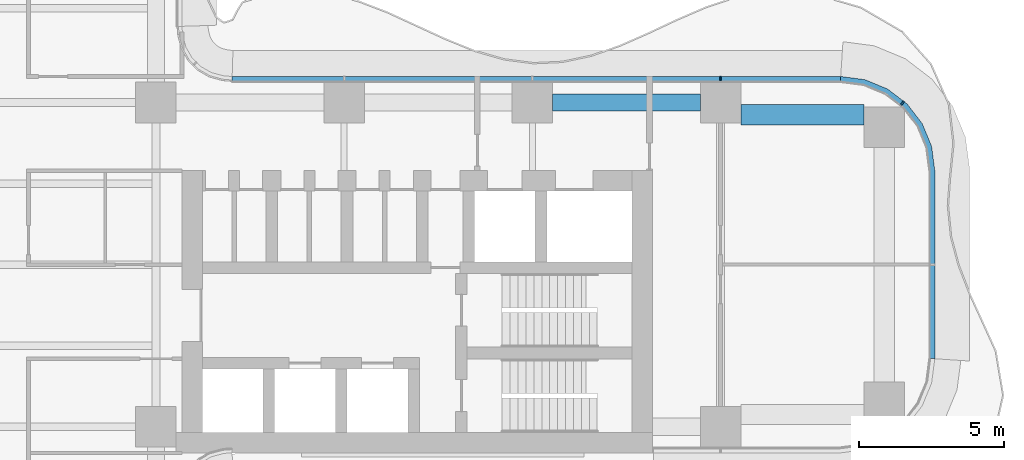
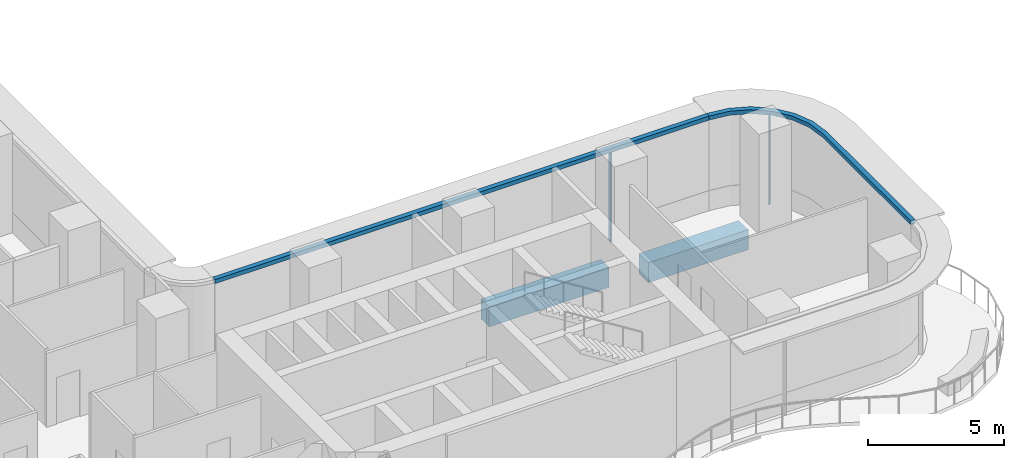
# One storey, part 11 of 22: 4 members, 2 beams, 2 elements without a shape of their own.
"""IFC4 building model written with IfcOpenShell, lengths in metres."""

from ifc_helpers import new_model, si_unit, direction, frame, origin, origin_2d, place, context, subcontext, project, spatial, polyline, rectangle, outline, extrude, source, transform, mapped, material, layer, layer_set, material_profile, profile_set, type_object, element, aggregate, save


model = new_model("IFC4")

# Units and contexts
model_context = context("Model", 3, precision=1e-05, world=origin(), true_north=direction((0.0, 1.0)))
body_context = subcontext(model_context, "Body", "Model", "MODEL_VIEW")
ifc_project = project(units=[si_unit("LENGTHUNIT", "METRE"), si_unit("AREAUNIT", "SQUARE_METRE"), si_unit("VOLUMEUNIT", "CUBIC_METRE"), si_unit("PLANEANGLEUNIT", "RADIAN"), si_unit("MASSUNIT", "GRAM", prefix="KILO")], contexts=[model_context])

# Site, building, storey
site_placement = place(None, origin())
site = spatial("IfcSite", under=ifc_project, at=site_placement, CompositionType="ELEMENT")
building_placement = place(site_placement, origin())
building = spatial("IfcBuilding", under=site, at=building_placement, Name="Trellis Farm Tower", CompositionType="ELEMENT")
storey_placement = place(building_placement, frame((0.0, 0.0, 56.5)))
storey = spatial("IfcBuildingStorey", under=building, at=storey_placement, Name="L11", CompositionType="ELEMENT", Elevation=56.5)

# Beams
ifc_material_1 = material(Name="Concrete C60/75", Category="concrete")
ifc_material_profile_1 = material_profile(ifc_material_1, rectangle(XDim=0.60009765625, YDim=0.89990234375, at=origin_2d()), Name="RC spandrel beam 600x900 C60/75")
ifc_profile_set_1 = profile_set([ifc_material_profile_1], Name="Concrete C60/75")
beam_type_1 = type_object("IfcBeamType", Name="RC spandrel beam 600x900 C60/75", PredefinedType="SPANDREL", material=ifc_profile_set_1)
shared_shape_1 = source(origin(), body_context, "Body", "SweptSolid", [
    extrude(rectangle(XDim=0.60009765625, YDim=0.89990234375, at=origin_2d()), origin(), (0.0, 0.0, 1.0), 5.099853515625),
])
beam_1_placement = place(storey_placement, frame((19.300048828125, 5.60009765625, -0.699951171875), z_axis=(1.0, 0.0, 0.0), x_axis=(0.0, 1.0, 0.0)))
element("IfcBeam", 1, at=beam_1_placement, inside=storey, type_object=beam_type_1, Name="Girder", PredefinedType="SPANDREL", context=body_context, shape_type="MappedRepresentation", body=[
    mapped(shared_shape_1, transform((0.0, 0.0, 0.0))),
])
ifc_material_profile_2 = material_profile(ifc_material_1, rectangle(XDim=0.699951171875, YDim=0.89990234375, at=origin_2d()), Name="RC spandrel beam 700x900 C60/75")
ifc_profile_set_2 = profile_set([ifc_material_profile_2], Name="Concrete C60/75")
beam_type_2 = type_object("IfcBeamType", Name="RC spandrel beam 700x900 C60/75", PredefinedType="SPANDREL", material=ifc_profile_set_2)
shared_shape_2 = source(origin(), body_context, "Body", "SweptSolid", [
    extrude(rectangle(XDim=0.699951171875, YDim=0.89990234375, at=origin_2d()), origin(), (0.0, 0.0, 1.0), 4.25),
])
beam_2_placement = place(storey_placement, frame((25.800048828125, 5.175048828125, -0.699951171875), z_axis=(1.0, 0.0, 0.0), x_axis=(0.0, 1.0, 0.0)))
element("IfcBeam", 2, at=beam_2_placement, inside=storey, type_object=beam_type_2, Name="Girder", PredefinedType="SPANDREL", context=body_context, shape_type="MappedRepresentation", body=[
    mapped(shared_shape_2, transform((0.0, 0.0, 0.0))),
])

# Curtain wall, member
ifc_material_2 = material(Name="Aluminium and glass curtain wall", Category="aluminium")
ifc_layer_1 = layer(ifc_material_2, 0.18994140625)
ifc_layer_set_1 = layer_set([ifc_layer_1], Name="RIBBON CURTAIN WALL CW1")
curtain_wall_type = type_object("IfcCurtainWallType", Name="RIBBON CURTAIN WALL CW1", PredefinedType="NOTDEFINED", material=ifc_layer_set_1)
placement_1 = place(storey_placement, origin())
curtain_wall_1 = element("IfcCurtainWall", 3, at=placement_1, inside=storey, type_object=curtain_wall_type, Name="CW1 007", PredefinedType="NOTDEFINED")
ifc_material_3 = material(Name="Aluminium extrusion 6063-T6", Category="aluminium")
ifc_material_profile_3 = material_profile(ifc_material_3, rectangle(XDim=0.06005859375, YDim=0.14990234375, at=origin_2d()), Name="MULLION 60x150")
ifc_profile_set_3 = profile_set([ifc_material_profile_3], Name="Aluminium extrusion 6063-T6")
member_type_1 = type_object("IfcMemberType", Name="CW1 MULLION 60x150", PredefinedType="MULLION", material=ifc_profile_set_3)
shared_shape_3 = source(origin(), body_context, "Body", "SweptSolid", [
    extrude(rectangle(XDim=0.06005859375, YDim=0.14990234375, at=origin_2d()), origin(), (0.0, 0.0, 1.0), 4.070068359375),
])
member_1_placement = place(storey_placement, frame((31.385498046875, 5.578369140625, 0.0), z_axis=(0.0, 0.0, 1.0), x_axis=(-0.793353340291, 0.608761429009, 0.0)))
member_1 = element("IfcMember", 4, at=member_1_placement, type_object=member_type_1, Name="MU1 007-02", PredefinedType="MULLION", context=body_context, shape_type="MappedRepresentation", body=[
    mapped(shared_shape_3, transform((0.0, 0.0, 0.0))),
])

# Curtain wall, members
curtain_wall_2 = element("IfcCurtainWall", 5, at=placement_1, inside=storey, type_object=curtain_wall_type, Name="CW1 008", PredefinedType="NOTDEFINED")
member_2_placement = place(storey_placement, frame((25.10009765625, 6.425048828125, 0.0), z_axis=(0.0, 0.0, 1.0), x_axis=(-1.0, 0.0, 0.0)))
member_2 = element("IfcMember", 6, at=member_2_placement, type_object=member_type_1, Name="MU1 008-01", PredefinedType="MULLION", context=body_context, shape_type="MappedRepresentation", body=[
    mapped(shared_shape_3, transform((0.0, 0.0, 0.0))),
])
ifc_layer_2 = layer(ifc_material_3, 0.199951171875)
ifc_layer_set_2 = layer_set([ifc_layer_2], Name="Aluminium extrusion 6063-T6")
member_type_2 = type_object("IfcMemberType", Name="CW1 TRANSOM 200x180", PredefinedType="USERDEFINED", material=ifc_layer_set_2)
shared_shape_4 = source(origin(), body_context, "Body", "SweptSolid", [
    extrude(outline(polyline([(29.25, 6.5), (8.2314453125, 6.5), (8.224853515625, 6.300048828125), (29.23681640625, 6.300048828125), (29.25, 6.5)])), origin(), (0.0, 0.0, 1.0), 0.179931640625),
])
placement_2 = place(storey_placement, frame((0.0, 0.0, 4.070068359375)))
member_3 = element("IfcMember", 7, at=placement_2, type_object=member_type_2, Name="TR1 008", ObjectType="TRANSOM", PredefinedType="USERDEFINED", context=body_context, shape_type="MappedRepresentation", body=[
    mapped(shared_shape_4, transform((0.0, 0.0, 0.0))),
])
aggregate(curtain_wall_2, [member_2, member_3])

# Member
shared_shape_5 = source(origin(), body_context, "Body", "SweptSolid", [
    extrude(outline(polyline([(32.5, -3.25), (32.5, 3.25), (32.38916015625, 4.091064453125), (32.064697265625, 4.875), (31.548095703125, 5.548095703125), (30.875, 6.064697265625), (30.091064453125, 6.38916015625), (29.25, 6.5), (29.23681640625, 6.300048828125), (30.0390625, 6.1943359375), (30.774169921875, 5.889892578125), (31.405517578125, 5.405517578125), (31.889892578125, 4.774169921875), (32.1943359375, 4.0390625), (32.300048828125, 3.23681640625), (32.300048828125, -3.23681640625), (32.5, -3.25)])), origin(), (0.0, 0.0, 1.0), 0.179931640625),
])
member_4 = element("IfcMember", 8, at=placement_2, type_object=member_type_2, Name="TR1 007", ObjectType="TRANSOM", PredefinedType="USERDEFINED", context=body_context, shape_type="MappedRepresentation", body=[
    mapped(shared_shape_5, transform((0.0, 0.0, 0.0))),
])

aggregate(curtain_wall_1, [member_1, member_4])

save(model, "model.ifc")
